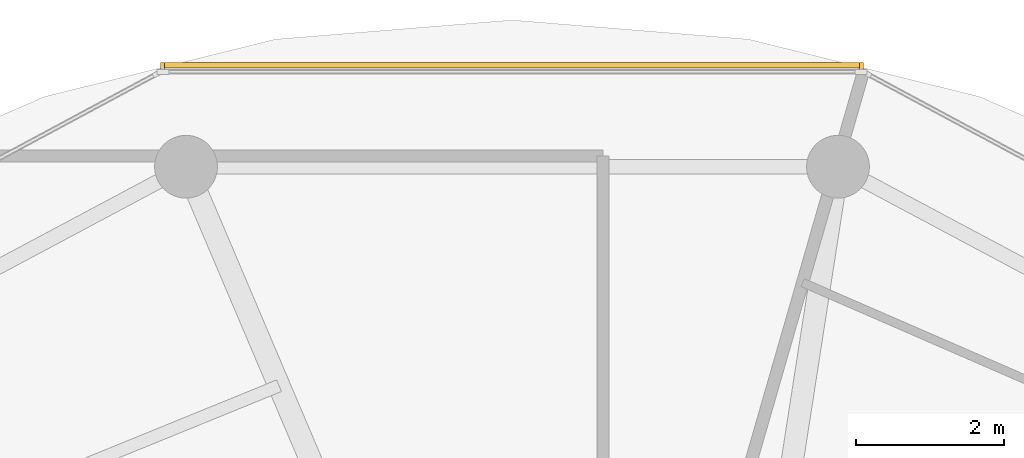
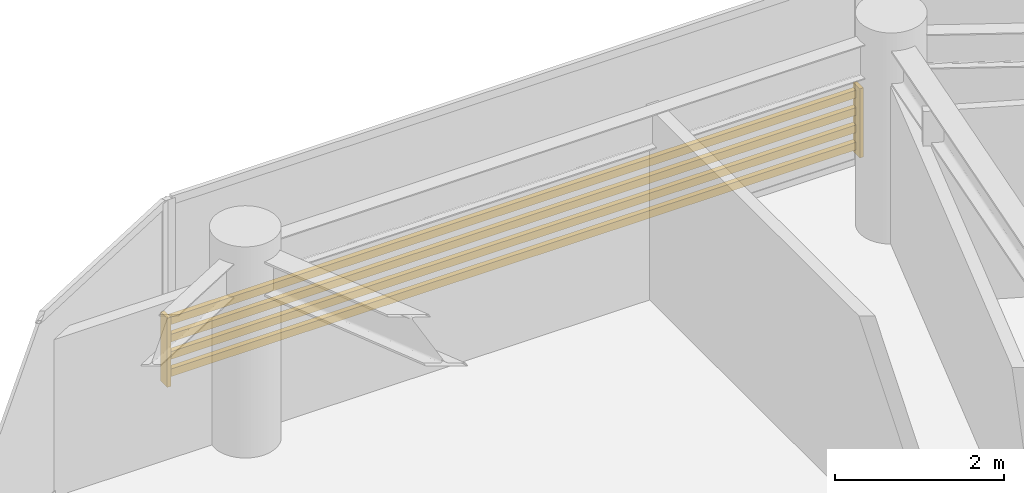
# One storey, part 23 of 23: 1 shading device.
"""IFC4 building model written with IfcOpenShell, lengths in metres."""

from ifc_helpers import new_model, si_unit, direction, frame, origin, origin_2d, place, context, subcontext, project, spatial, rectangle, extrude, source, transform, mapped, material, type_object, type_shapes, element, save


model = new_model("IFC4")

# Units and contexts
model_context = context("Model", 3, precision=1e-05, world=origin(), true_north=direction((0.0, 1.0)))
body_context = subcontext(model_context, "Body", "Model", "MODEL_VIEW")
ifc_project = project(units=[si_unit("LENGTHUNIT", "METRE"), si_unit("AREAUNIT", "SQUARE_METRE"), si_unit("VOLUMEUNIT", "CUBIC_METRE"), si_unit("PLANEANGLEUNIT", "RADIAN"), si_unit("MASSUNIT", "GRAM", prefix="KILO")], contexts=[model_context])

# Site, building, storey
site_placement = place(None, origin())
site = spatial("IfcSite", under=ifc_project, at=site_placement, CompositionType="ELEMENT")
building_placement = place(site_placement, origin())
building = spatial("IfcBuilding", under=site, at=building_placement, Name="Norrkilde Senior Care Towers", CompositionType="ELEMENT")
storey_placement = place(building_placement, frame((0.0, 0.0, 93.199951171875)))
storey = spatial("IfcBuildingStorey", under=building, at=storey_placement, Name="L28", CompositionType="ELEMENT", Elevation=93.199951171875)

# Shading device
ifc_material = material(Name="Architectural Terracotta", Category="masonry")
shading_device_type = type_object("IfcShadingDeviceType", Name="Horizontal Terracotta Baguette Rack", PredefinedType="USERDEFINED", material=ifc_material)
shared_shape = source(origin(), body_context, "Body", "SweptSolid", [
    extrude(rectangle(XDim=0.070068359375, YDim=0.110107421875, at=origin_2d()), frame((0.0, 0.090087890625, 0.125), z_axis=(1.0, 0.0, 0.0), x_axis=(0.0, 1.0, 0.0)), (0.0, 0.0, 1.0), 9.51416015625),
    extrude(rectangle(XDim=0.070068359375, YDim=0.110107421875, at=origin_2d()), frame((0.0, 0.090087890625, 0.375), z_axis=(1.0, 0.0, 0.0), x_axis=(0.0, 1.0, 0.0)), (0.0, 0.0, 1.0), 9.51416015625),
    extrude(rectangle(XDim=0.070068359375, YDim=0.110107421875, at=origin_2d()), frame((0.0, 0.090087890625, 0.625), z_axis=(1.0, 0.0, 0.0), x_axis=(0.0, 1.0, 0.0)), (0.0, 0.0, 1.0), 9.51416015625),
    extrude(rectangle(XDim=0.070068359375, YDim=0.110107421875, at=origin_2d()), frame((0.0, 0.090087890625, 0.875), z_axis=(1.0, 0.0, 0.0), x_axis=(0.0, 1.0, 0.0)), (0.0, 0.0, 1.0), 9.51416015625),
    extrude(rectangle(XDim=0.050048828125, YDim=0.1552734375, at=origin_2d()), frame((0.02490234375, 0.047607421875, 0.0)), (0.0, 0.0, 1.0), 1.0),
    extrude(rectangle(XDim=0.050048828125, YDim=0.1552734375, at=origin_2d()), frame((9.4892578125, 0.047607421875, 0.0)), (0.0, 0.0, 1.0), 1.0),
])
type_shapes(shading_device_type, [shared_shape])
shading_device_placement = place(storey_placement, frame((21.19287109375, 16.498046875, 0.080078125), z_axis=(0.0, 0.0, 1.0), x_axis=(1.0, 0.0, 0.0)))
element("IfcShadingDevice", 1, at=shading_device_placement, inside=storey, type_object=shading_device_type, Name="L28 Drum E Terracotta Baguette Screen 02", ObjectType="BAGUETTE", PredefinedType="USERDEFINED", context=body_context, shape_type="MappedRepresentation", body=[
    mapped(shared_shape, transform((0.0, 0.0, 0.0), x_axis=(1.0, 0.0, 0.0), y_axis=(0.0, 1.0, 0.0), z_axis=(0.0, 0.0, 1.0), scale=1.0)),
])

save(model, "model.ifc")
